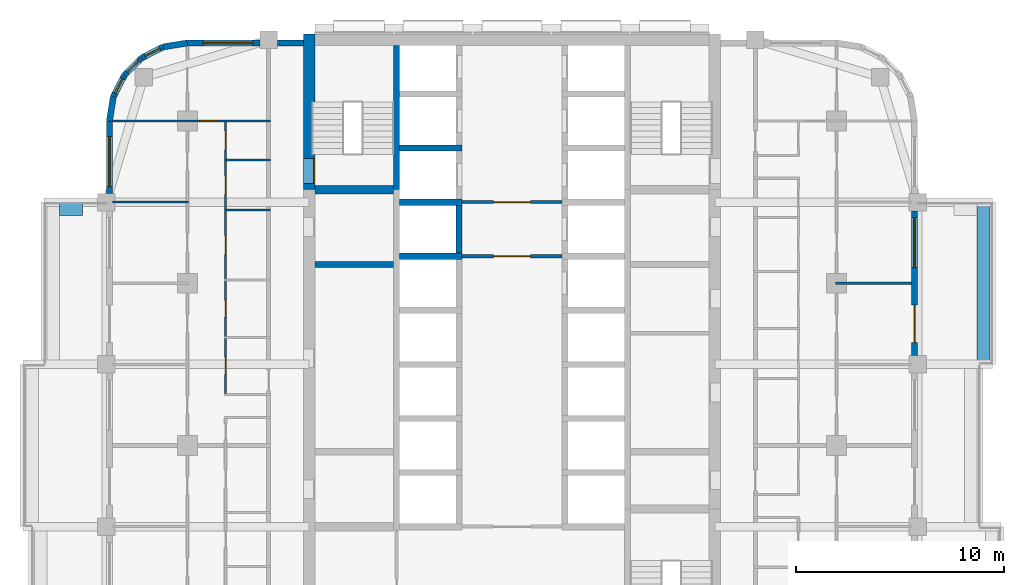
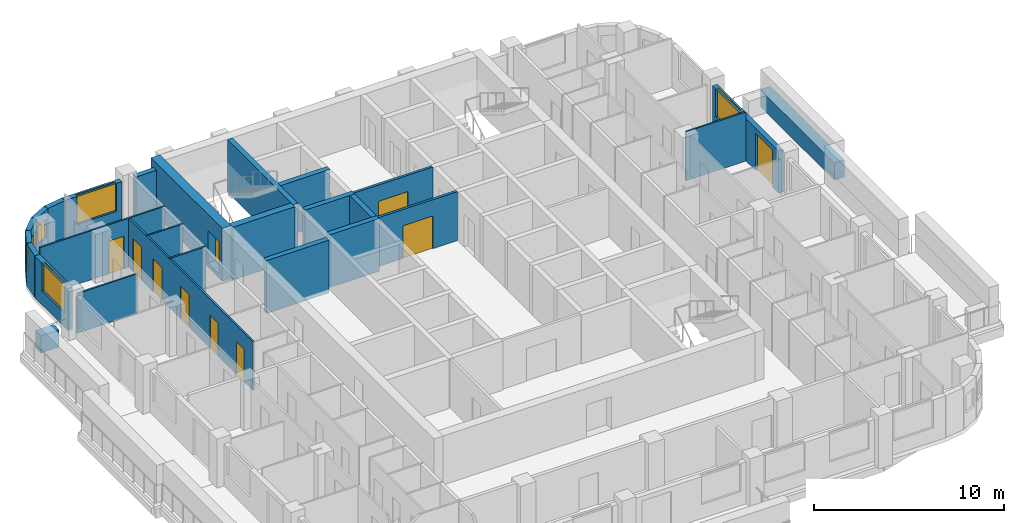
# One storey, part 7 of 12: 27 walls, 10 doors, 6 windows, 16 openings.
"""IFC4 building model written with IfcOpenShell, lengths in metres."""

from ifc_helpers import new_model, si_unit, direction, frame, frame_2d, origin, place, context, subcontext, project, spatial, rectangle, extrude, material, layer, layer_set, type_object, element, fill, save


model = new_model("IFC4")

# Units and contexts
model_context = context("Model", 3, precision=1e-05, world=origin(), true_north=direction((0.0, 1.0)))
body_context = subcontext(model_context, "Body", "Model", "MODEL_VIEW")
ifc_project = project(units=[si_unit("LENGTHUNIT", "METRE"), si_unit("AREAUNIT", "SQUARE_METRE"), si_unit("VOLUMEUNIT", "CUBIC_METRE"), si_unit("PLANEANGLEUNIT", "RADIAN"), si_unit("MASSUNIT", "GRAM", prefix="KILO")], contexts=[model_context])

# Site, building, storey
site_placement = place(None, origin())
site = spatial("IfcSite", under=ifc_project, at=site_placement, CompositionType="ELEMENT")
building_placement = place(site_placement, origin())
building = spatial("IfcBuilding", under=site, at=building_placement, Name="Ludao Terraces", CompositionType="ELEMENT")
storey_placement = place(building_placement, frame((0.0, 0.0, 137.300048828125)))
storey = spatial("IfcBuildingStorey", under=building, at=storey_placement, Name="L37", CompositionType="ELEMENT", Elevation=137.300048828125)

# Wall, opening, door
ifc_material_1 = material(Name="Concrete C60", Category="concrete")
ifc_layer_1 = layer(ifc_material_1, 0.550048828125)
ifc_layer_set_1 = layer_set([ifc_layer_1], Name="Core wall 550 C60")
wall_type_1 = type_object("IfcWallType", Name="Core wall 550 C60", PredefinedType="SOLIDWALL", material=ifc_layer_set_1)
wall_1_placement = place(storey_placement, frame((75.25, 77.300048828125, -0.25), z_axis=(0.0, 0.0, 1.0), x_axis=(0.0, 1.0, 0.0)))
wall_1 = element("IfcWall", 1, at=wall_1_placement, inside=storey, type_object=wall_type_1, Name="Core wall L37 outer-W-S1", PredefinedType="SOLIDWALL", context=body_context, shape_type="SweptSolid", body=[
    extrude(rectangle(XDim=7.474853515625, YDim=0.550048828125, at=frame_2d((3.7373046875, 0.0))), origin(), (0.0, 0.0, 1.0), 3.39990234375),
])
opening_1_placement = place(wall_1_placement, frame((0.300048828125, 0.0, 0.25)))
opening_1 = element("IfcOpeningElement", 2, at=opening_1_placement, cuts=wall_1, Name="Opening R12-064", PredefinedType="OPENING", context=body_context, shape_type="SweptSolid", body=[
    extrude(rectangle(XDim=1.199951171875, YDim=2.10009765625, at=frame_2d((0.60009765625, 1.050048828125))), frame((0.0, 0.28515625, 0.0), z_axis=(0.0, -1.0, 0.0), x_axis=(1.0, 0.0, 0.0)), (0.0, 0.0, 1.0), 0.570068359375),
])
ifc_material_2 = material(Name="Steel Q235", Category="steel")
door_type_1 = type_object("IfcDoorType", Name="INT Stair door 1200", OperationType="DOUBLE_DOOR_SINGLE_SWING", PredefinedType="DOOR", material=ifc_material_2)
door_1_placement = place(opening_1_placement, origin())
door_1 = element("IfcDoor", 3, at=door_1_placement, inside=storey, type_object=door_type_1, Name="DOOR 064", OperationType="DOUBLE_DOOR_SINGLE_SWING", OverallHeight=2.10009765625, OverallWidth=1.199951171875, PredefinedType="DOOR", context=body_context, shape_type="SweptSolid", body=[
    extrude(rectangle(XDim=1.199951171875, YDim=2.10009765625, at=frame_2d((0.60009765625, 1.050048828125))), frame((0.0, -0.2099609375, 0.0), z_axis=(0.0, -1.0, 0.0), x_axis=(1.0, 0.0, 0.0)), (0.0, 0.0, 1.0), 0.050048828125),
])
fill(opening_1, door_1)

# Walls
ifc_material_3 = material(Name="Concrete C40", Category="concrete")
ifc_layer_2 = layer(ifc_material_3, 0.60009765625)
ifc_layer_set_2 = layer_set([ifc_layer_2], Name="ENV Planter trough 600")
wall_type_2 = type_object("IfcWallType", Name="ENV Planter trough 600", PredefinedType="USERDEFINED", material=ifc_layer_set_2)
wall_2_placement = place(storey_placement, frame((107.64990234375, 68.89990234375, 0.0), z_axis=(0.0, 0.0, 1.0), x_axis=(0.0, 1.0, 0.0)))
element("IfcWall", 4, at=wall_2_placement, inside=storey, type_object=wall_type_2, Name="PL-L37-E3", ObjectType="PLANTER", PredefinedType="USERDEFINED", context=body_context, shape_type="SweptSolid", body=[
    extrude(rectangle(XDim=7.800048828125, YDim=0.60009765625, at=frame_2d((3.89990234375, 0.0))), origin(), (0.0, 0.0, 1.0), 1.099853515625),
])
wall_3_placement = place(storey_placement, frame((63.25, 76.35009765625, 0.0), z_axis=(0.0, 0.0, 1.0), x_axis=(1.0, 0.0, 0.0)))
element("IfcWall", 5, at=wall_3_placement, inside=storey, type_object=wall_type_2, Name="PL-L37-W3-SB", ObjectType="PLANTER", PredefinedType="USERDEFINED", context=body_context, shape_type="SweptSolid", body=[
    extrude(rectangle(XDim=1.10009765625, YDim=0.60009765625, at=frame_2d((0.550048828125, 0.0))), origin(), (0.0, 0.0, 1.0), 1.099853515625),
])

# Wall, openings, door, window
ifc_material_4 = material(Name="Granite cladding", Category="masonry")
ifc_layer_3 = layer(ifc_material_4, 0.0400390625, Category="stone")
ifc_material_5 = material(Name="Mineral wool")
ifc_layer_4 = layer(ifc_material_5, 0.06005859375)
ifc_layer_5 = layer(ifc_material_3, 0.199951171875, Category="concrete")
ifc_layer_set_3 = layer_set([ifc_layer_3, ifc_layer_4, ifc_layer_5], Name="ENV Stone-clad wall 300")
wall_type_3 = type_object("IfcWallType", Name="ENV Stone-clad wall 300", PredefinedType="SOLIDWALL", material=ifc_layer_set_3)
wall_4_placement = place(storey_placement, frame((104.35009765625, 69.324951171875, 0.0), z_axis=(0.0, 0.0, 1.0), x_axis=(0.0, 1.0, 0.0)))
wall_4 = element("IfcWall", 6, at=wall_4_placement, inside=storey, type_object=wall_type_3, Name="EW-L37-E4", PredefinedType="SOLIDWALL", context=body_context, shape_type="SweptSolid", body=[
    extrude(rectangle(XDim=6.949951171875, YDim=0.300048828125, at=frame_2d((3.47509765625, 0.0))), origin(), (0.0, 0.0, 1.0), 2.699951171875),
])
opening_2_placement = place(wall_4_placement, frame((0.625, 0.0, 0.0)))
opening_2 = element("IfcOpeningElement", 7, at=opening_2_placement, cuts=wall_4, Name="Opening BD", PredefinedType="OPENING", context=body_context, shape_type="SweptSolid", body=[
    extrude(rectangle(XDim=1.800048828125, YDim=2.39990234375, at=frame_2d((0.89990234375, 1.199951171875))), frame((0.0, 0.16015625, 0.0), z_axis=(0.0, -1.0, 0.0), x_axis=(1.0, 0.0, 0.0)), (0.0, 0.0, 1.0), 0.320068359375),
])
opening_3_placement = place(wall_4_placement, frame((4.22509765625, 0.0, 0.89990234375)))
opening_3 = element("IfcOpeningElement", 8, at=opening_3_placement, cuts=wall_4, Name="Opening W1", PredefinedType="OPENING", context=body_context, shape_type="SweptSolid", body=[
    extrude(rectangle(XDim=2.39990234375, YDim=1.800048828125, at=frame_2d((1.199951171875, 0.89990234375))), frame((0.0, 0.16015625, 0.0), z_axis=(0.0, -1.0, 0.0), x_axis=(1.0, 0.0, 0.0)), (0.0, 0.0, 1.0), 0.320068359375),
])
ifc_material_6 = material(Name="Aluminium glazed door", Category="aluminium")
ifc_layer_6 = layer(ifc_material_6, 0.06005859375)
ifc_layer_set_4 = layer_set([ifc_layer_6], Name="ENV Balcony door BD 1800x2400")
door_type_2 = type_object("IfcDoorType", Name="ENV Balcony door BD 1800x2400", OperationType="DOUBLE_DOOR_SINGLE_SWING", PredefinedType="DOOR", material=ifc_layer_set_4)
door_2_placement = place(opening_2_placement, origin())
door_2 = element("IfcDoor", 9, at=door_2_placement, inside=storey, type_object=door_type_2, Name="BD-L37-E4-1", OperationType="DOUBLE_DOOR_SINGLE_SWING", OverallHeight=2.39990234375, OverallWidth=1.800048828125, PredefinedType="DOOR", context=body_context, shape_type="SweptSolid", body=[
    extrude(rectangle(XDim=1.800048828125, YDim=2.39990234375, at=frame_2d((0.89990234375, 1.199951171875))), frame((0.0, 0.02490234375, 0.0), z_axis=(0.0, -1.0, 0.0), x_axis=(1.0, 0.0, 0.0)), (0.0, 0.0, 1.0), 0.050048828125),
])
fill(opening_2, door_2)
ifc_material_7 = material(Name="Clear glass in aluminium frame", Category="aluminium")
ifc_layer_7 = layer(ifc_material_7, 0.06005859375)
ifc_layer_set_5 = layer_set([ifc_layer_7], Name="ENV Window W1 2400x1800")
window_type_1 = type_object("IfcWindowType", Name="ENV Window W1 2400x1800", PartitioningType="DOUBLE_PANEL_VERTICAL", PredefinedType="WINDOW", material=ifc_layer_set_5)
window_1_placement = place(opening_3_placement, origin())
window_1 = element("IfcWindow", 10, at=window_1_placement, inside=storey, type_object=window_type_1, Name="W-L37-E4-2", OverallHeight=1.800048828125, OverallWidth=2.39990234375, PartitioningType="DOUBLE_PANEL_VERTICAL", PredefinedType="WINDOW", context=body_context, shape_type="SweptSolid", body=[
    extrude(rectangle(XDim=2.39990234375, YDim=1.800048828125, at=frame_2d((1.199951171875, 0.89990234375))), frame((0.0, 0.030029296875, 0.0), z_axis=(0.0, -1.0, 0.0), x_axis=(1.0, 0.0, 0.0)), (0.0, 0.0, 1.0), 0.06005859375),
])
fill(opening_3, window_1)

# Wall, opening, window
wall_5_placement = place(storey_placement, frame((69.39990234375, 84.35009765625, 0.0), z_axis=(0.0, 0.0, 1.0), x_axis=(1.0, 0.0, 0.0)))
wall_5 = element("IfcWall", 11, at=wall_5_placement, inside=storey, type_object=wall_type_3, Name="EW-L37-N1", PredefinedType="SOLIDWALL", context=body_context, shape_type="SweptSolid", body=[
    extrude(rectangle(XDim=3.47509765625, YDim=0.300048828125, at=frame_2d((1.737548828125, 0.0))), origin(), (0.0, 0.0, 1.0), 2.699951171875),
])
opening_4_placement = place(wall_5_placement, frame((0.75, 0.0, 0.89990234375)))
opening_4 = element("IfcOpeningElement", 12, at=opening_4_placement, cuts=wall_5, Name="Opening W1", PredefinedType="OPENING", context=body_context, shape_type="SweptSolid", body=[
    extrude(rectangle(XDim=2.39990234375, YDim=1.800048828125, at=frame_2d((1.199951171875, 0.89990234375))), frame((0.0, 0.16015625, 0.0), z_axis=(0.0, -1.0, 0.0), x_axis=(1.0, 0.0, 0.0)), (0.0, 0.0, 1.0), 0.320068359375),
])
window_2_placement = place(opening_4_placement, origin())
window_2 = element("IfcWindow", 13, at=window_2_placement, inside=storey, type_object=window_type_1, Name="W-L37-N1-1", OverallHeight=1.800048828125, OverallWidth=2.39990234375, PartitioningType="DOUBLE_PANEL_VERTICAL", PredefinedType="WINDOW", context=body_context, shape_type="SweptSolid", body=[
    extrude(rectangle(XDim=2.39990234375, YDim=1.800048828125, at=frame_2d((1.199951171875, 0.89990234375))), frame((0.0, 0.030029296875, 0.0), z_axis=(0.0, -1.0, 0.0), x_axis=(1.0, 0.0, 0.0)), (0.0, 0.0, 1.0), 0.06005859375),
])
fill(opening_4, window_2)

# Wall
wall_6_placement = place(storey_placement, frame((73.72509765625, 84.35009765625, 0.0), z_axis=(0.0, 0.0, 1.0), x_axis=(1.0, 0.0, 0.0)))
element("IfcWall", 14, at=wall_6_placement, inside=storey, type_object=wall_type_3, Name="EW-L37-N2", PredefinedType="SOLIDWALL", context=body_context, shape_type="SweptSolid", body=[
    extrude(rectangle(XDim=1.25, YDim=0.300048828125, at=frame_2d((0.625, 0.0))), origin(), (0.0, 0.0, 1.0), 2.699951171875),
])

# Wall, opening, window
wall_7_placement = place(storey_placement, frame((65.64990234375, 77.125, 0.0), z_axis=(0.0, 0.0, 1.0), x_axis=(0.0, 1.0, 0.0)))
wall_7 = element("IfcWall", 15, at=wall_7_placement, inside=storey, type_object=wall_type_3, Name="EW-L37-W5", PredefinedType="SOLIDWALL", context=body_context, shape_type="SweptSolid", body=[
    extrude(rectangle(XDim=3.47509765625, YDim=0.300048828125, at=frame_2d((1.737548828125, 0.0))), origin(), (0.0, 0.0, 1.0), 2.699951171875),
])
opening_5_placement = place(wall_7_placement, frame((0.324951171875, 0.0, 0.89990234375)))
opening_5 = element("IfcOpeningElement", 16, at=opening_5_placement, cuts=wall_7, Name="Opening W1", PredefinedType="OPENING", context=body_context, shape_type="SweptSolid", body=[
    extrude(rectangle(XDim=2.39990234375, YDim=1.800048828125, at=frame_2d((1.199951171875, 0.89990234375))), frame((0.0, 0.16015625, 0.0), z_axis=(0.0, -1.0, 0.0), x_axis=(1.0, 0.0, 0.0)), (0.0, 0.0, 1.0), 0.320068359375),
])
window_3_placement = place(opening_5_placement, origin())
window_3 = element("IfcWindow", 17, at=window_3_placement, inside=storey, type_object=window_type_1, Name="W-L37-W5-1", OverallHeight=1.800048828125, OverallWidth=2.39990234375, PartitioningType="DOUBLE_PANEL_VERTICAL", PredefinedType="WINDOW", context=body_context, shape_type="SweptSolid", body=[
    extrude(rectangle(XDim=2.39990234375, YDim=1.800048828125, at=frame_2d((1.199951171875, 0.89990234375))), frame((0.0, 0.030029296875, 0.0), z_axis=(0.0, -1.0, 0.0), x_axis=(1.0, 0.0, 0.0)), (0.0, 0.0, 1.0), 0.06005859375),
])
fill(opening_5, window_3)

# Wall
wall_8_placement = place(storey_placement, frame((69.39990234375, 84.35009765625, 0.0), z_axis=(0.0, 0.0, 1.0), x_axis=(-0.987678452879, -0.156496880861, 0.0)))
element("IfcWall", 18, at=wall_8_placement, inside=storey, type_object=wall_type_3, Name="EW-L37-NW1", PredefinedType="SOLIDWALL", context=body_context, shape_type="SweptSolid", body=[
    extrude(rectangle(XDim=1.173095703125, YDim=0.300048828125, at=frame_2d((0.58642578125, 0.0))), origin(), (0.0, 0.0, 1.0), 2.699951171875),
])

# Wall, opening, window
wall_9_placement = place(storey_placement, frame((68.2412109375, 84.16650390625, 0.0), z_axis=(0.0, 0.0, 1.0), x_axis=(-0.890988677504, -0.454025524128, 0.0)))
wall_9 = element("IfcWall", 19, at=wall_9_placement, inside=storey, type_object=wall_type_3, Name="EW-L37-NW2", PredefinedType="SOLIDWALL", context=body_context, shape_type="SweptSolid", body=[
    extrude(rectangle(XDim=1.17333984375, YDim=0.300048828125, at=frame_2d((0.586669921875, 0.0))), origin(), (0.0, 0.0, 1.0), 2.699951171875),
])
opening_6_placement = place(wall_9_placement, frame((0.1865234375, 0.0, 0.89990234375)))
opening_6 = element("IfcOpeningElement", 20, at=opening_6_placement, cuts=wall_9, Name="Opening W3", PredefinedType="OPENING", context=body_context, shape_type="SweptSolid", body=[
    extrude(rectangle(XDim=0.800048828125, YDim=1.199951171875, at=frame_2d((0.39990234375, 0.60009765625))), frame((0.0, 0.16015625, 0.0), z_axis=(0.0, -1.0, 0.0), x_axis=(1.0, 0.0, 0.0)), (0.0, 0.0, 1.0), 0.320068359375),
])
ifc_layer_8 = layer(ifc_material_7, 0.06005859375)
ifc_layer_set_6 = layer_set([ifc_layer_8], Name="ENV Window W3 800x1200")
window_type_2 = type_object("IfcWindowType", Name="ENV Window W3 800x1200", PartitioningType="SINGLE_PANEL", PredefinedType="WINDOW", material=ifc_layer_set_6)
window_4_placement = place(opening_6_placement, origin())
window_4 = element("IfcWindow", 21, at=window_4_placement, inside=storey, type_object=window_type_2, Name="W-L37-NW2", OverallHeight=1.199951171875, OverallWidth=0.800048828125, PartitioningType="SINGLE_PANEL", PredefinedType="WINDOW", context=body_context, shape_type="SweptSolid", body=[
    extrude(rectangle(XDim=0.800048828125, YDim=1.199951171875, at=frame_2d((0.39990234375, 0.60009765625))), frame((0.0, 0.030029296875, 0.0), z_axis=(0.0, -1.0, 0.0), x_axis=(1.0, 0.0, 0.0)), (0.0, 0.0, 1.0), 0.06005859375),
])
fill(opening_6, window_4)

wall_10_placement = place(storey_placement, frame((67.19580078125, 83.6337890625, 0.0), z_axis=(0.0, 0.0, 1.0), x_axis=(-0.707106781187, -0.707106781187, 0.0)))
wall_10 = element("IfcWall", 22, at=wall_10_placement, inside=storey, type_object=wall_type_3, Name="EW-L37-NW3", PredefinedType="SOLIDWALL", context=body_context, shape_type="SweptSolid", body=[
    extrude(rectangle(XDim=1.173095703125, YDim=0.300048828125, at=frame_2d((0.58642578125, 0.0))), origin(), (0.0, 0.0, 1.0), 2.699951171875),
])
opening_7_placement = place(wall_10_placement, frame((0.1865234375, 0.0, 0.89990234375)))
opening_7 = element("IfcOpeningElement", 23, at=opening_7_placement, cuts=wall_10, Name="Opening W3", PredefinedType="OPENING", context=body_context, shape_type="SweptSolid", body=[
    extrude(rectangle(XDim=0.800048828125, YDim=1.199951171875, at=frame_2d((0.39990234375, 0.60009765625))), frame((0.0, 0.16015625, 0.0), z_axis=(0.0, -1.0, 0.0), x_axis=(1.0, 0.0, 0.0)), (0.0, 0.0, 1.0), 0.320068359375),
])
window_5_placement = place(opening_7_placement, origin())
window_5 = element("IfcWindow", 24, at=window_5_placement, inside=storey, type_object=window_type_2, Name="W-L37-NW3", OverallHeight=1.199951171875, OverallWidth=0.800048828125, PartitioningType="SINGLE_PANEL", PredefinedType="WINDOW", context=body_context, shape_type="SweptSolid", body=[
    extrude(rectangle(XDim=0.800048828125, YDim=1.199951171875, at=frame_2d((0.39990234375, 0.60009765625))), frame((0.0, 0.030029296875, 0.0), z_axis=(0.0, -1.0, 0.0), x_axis=(1.0, 0.0, 0.0)), (0.0, 0.0, 1.0), 0.06005859375),
])
fill(opening_7, window_5)

wall_11_placement = place(storey_placement, frame((66.3662109375, 82.80419921875, 0.0), z_axis=(0.0, 0.0, 1.0), x_axis=(-0.454025524128, -0.890988677504, 0.0)))
wall_11 = element("IfcWall", 25, at=wall_11_placement, inside=storey, type_object=wall_type_3, Name="EW-L37-NW4", PredefinedType="SOLIDWALL", context=body_context, shape_type="SweptSolid", body=[
    extrude(rectangle(XDim=1.17333984375, YDim=0.300048828125, at=frame_2d((0.586669921875, 0.0))), origin(), (0.0, 0.0, 1.0), 2.699951171875),
])
opening_8_placement = place(wall_11_placement, frame((0.1865234375, 0.0, 0.89990234375)))
opening_8 = element("IfcOpeningElement", 26, at=opening_8_placement, cuts=wall_11, Name="Opening W3", PredefinedType="OPENING", context=body_context, shape_type="SweptSolid", body=[
    extrude(rectangle(XDim=0.800048828125, YDim=1.199951171875, at=frame_2d((0.39990234375, 0.60009765625))), frame((0.0, 0.16015625, 0.0), z_axis=(0.0, -1.0, 0.0), x_axis=(1.0, 0.0, 0.0)), (0.0, 0.0, 1.0), 0.320068359375),
])
window_6_placement = place(opening_8_placement, origin())
window_6 = element("IfcWindow", 27, at=window_6_placement, inside=storey, type_object=window_type_2, Name="W-L37-NW4", OverallHeight=1.199951171875, OverallWidth=0.800048828125, PartitioningType="SINGLE_PANEL", PredefinedType="WINDOW", context=body_context, shape_type="SweptSolid", body=[
    extrude(rectangle(XDim=0.800048828125, YDim=1.199951171875, at=frame_2d((0.39990234375, 0.60009765625))), frame((0.0, 0.030029296875, 0.0), z_axis=(0.0, -1.0, 0.0), x_axis=(1.0, 0.0, 0.0)), (0.0, 0.0, 1.0), 0.06005859375),
])
fill(opening_8, window_6)

# Wall
wall_12_placement = place(storey_placement, frame((65.83349609375, 81.7587890625, 0.0), z_axis=(0.0, 0.0, 1.0), x_axis=(-0.156496880861, -0.987678452879, 0.0)))
element("IfcWall", 28, at=wall_12_placement, inside=storey, type_object=wall_type_3, Name="EW-L37-NW5", PredefinedType="SOLIDWALL", context=body_context, shape_type="SweptSolid", body=[
    extrude(rectangle(XDim=1.173095703125, YDim=0.300048828125, at=frame_2d((0.58642578125, 0.0))), origin(), (0.0, 0.0, 1.0), 2.699951171875),
])

# Wall, opening, door
ifc_material_8 = material(Name="Fire-rated gypsum plasterboard", Category="gypsum")
ifc_layer_9 = layer(ifc_material_8, 0.012451171875, Category="gypsum")
ifc_layer_10 = layer(ifc_material_5, 0.10009765625, Name="insulation")
ifc_layer_11 = layer(ifc_material_2, 0.02490234375, Name="stud")
ifc_layer_12 = layer(ifc_material_8, 0.012451171875, Category="gypsum")
ifc_layer_set_7 = layer_set([ifc_layer_9, ifc_layer_10, ifc_layer_11, ifc_layer_12], Name="INT Core partition 150")
wall_type_4 = type_object("IfcWallType", Name="INT Core partition 150", PredefinedType="PARTITIONING", material=ifc_layer_set_7)
wall_13_placement = place(storey_placement, frame((82.60009765625, 74.10009765625, 0.0), z_axis=(0.0, 0.0, 1.0), x_axis=(1.0, 0.0, 0.0)))
wall_13 = element("IfcWall", 29, at=wall_13_placement, inside=storey, type_object=wall_type_4, Name="PW-L37-PW036", PredefinedType="PARTITIONING", context=body_context, shape_type="SweptSolid", body=[
    extrude(rectangle(XDim=4.800048828125, YDim=0.14990234375, at=frame_2d((2.39990234375, 0.0))), origin(), (0.0, 0.0, 1.0), 3.14990234375),
])
opening_9_placement = place(wall_13_placement, frame((1.5, 0.0, 0.0)))
opening_9 = element("IfcOpeningElement", 30, at=opening_9_placement, cuts=wall_13, Name="Opening R12-051", PredefinedType="OPENING", context=body_context, shape_type="SweptSolid", body=[
    extrude(rectangle(XDim=1.800048828125, YDim=2.10009765625, at=frame_2d((0.89990234375, 1.050048828125))), frame((0.0, 0.0849609375, 0.0), z_axis=(0.0, -1.0, 0.0), x_axis=(1.0, 0.0, 0.0)), (0.0, 0.0, 1.0), 0.169921875),
])
door_type_3 = type_object("IfcDoorType", Name="INT Fire lobby door 1800", OperationType="DOUBLE_DOOR_SINGLE_SWING", PredefinedType="DOOR", material=ifc_material_2)
door_3_placement = place(opening_9_placement, origin())
door_3 = element("IfcDoor", 31, at=door_3_placement, inside=storey, type_object=door_type_3, Name="DOOR 051", OperationType="DOUBLE_DOOR_SINGLE_SWING", OverallHeight=2.10009765625, OverallWidth=1.800048828125, PredefinedType="DOOR", context=body_context, shape_type="SweptSolid", body=[
    extrude(rectangle(XDim=1.800048828125, YDim=2.10009765625, at=frame_2d((0.89990234375, 1.050048828125))), frame((0.0, 0.02490234375, 0.0), z_axis=(0.0, -1.0, 0.0), x_axis=(1.0, 0.0, 0.0)), (0.0, 0.0, 1.0), 0.050048828125),
])
fill(opening_9, door_3)

wall_14_placement = place(storey_placement, frame((82.60009765625, 76.699951171875, 0.0), z_axis=(0.0, 0.0, 1.0), x_axis=(1.0, 0.0, 0.0)))
wall_14 = element("IfcWall", 32, at=wall_14_placement, inside=storey, type_object=wall_type_4, Name="PW-L37-PW040", PredefinedType="PARTITIONING", context=body_context, shape_type="SweptSolid", body=[
    extrude(rectangle(XDim=4.800048828125, YDim=0.14990234375, at=frame_2d((2.39990234375, 0.0))), origin(), (0.0, 0.0, 1.0), 3.14990234375),
])
opening_10_placement = place(wall_14_placement, frame((1.5, 0.0, 0.0)))
opening_10 = element("IfcOpeningElement", 33, at=opening_10_placement, cuts=wall_14, Name="Opening R12-059", PredefinedType="OPENING", context=body_context, shape_type="SweptSolid", body=[
    extrude(rectangle(XDim=1.800048828125, YDim=2.10009765625, at=frame_2d((0.89990234375, 1.050048828125))), frame((0.0, 0.0849609375, 0.0), z_axis=(0.0, -1.0, 0.0), x_axis=(1.0, 0.0, 0.0)), (0.0, 0.0, 1.0), 0.169921875),
])
door_4_placement = place(opening_10_placement, origin())
door_4 = element("IfcDoor", 34, at=door_4_placement, inside=storey, type_object=door_type_3, Name="DOOR 059", OperationType="DOUBLE_DOOR_SINGLE_SWING", OverallHeight=2.10009765625, OverallWidth=1.800048828125, PredefinedType="DOOR", context=body_context, shape_type="SweptSolid", body=[
    extrude(rectangle(XDim=1.800048828125, YDim=2.10009765625, at=frame_2d((0.89990234375, 1.050048828125))), frame((0.0, 0.02490234375, 0.0), z_axis=(0.0, -1.0, 0.0), x_axis=(1.0, 0.0, 0.0)), (0.0, 0.0, 1.0), 0.050048828125),
])
fill(opening_10, door_4)

# Walls
ifc_material_9 = material(Name="Gypsum plasterboard", Category="gypsum")
ifc_layer_13 = layer(ifc_material_9, 0.012451171875, Category="gypsum")
ifc_layer_14 = layer(ifc_material_5, 0.06005859375, Name="insulation")
ifc_layer_15 = layer(ifc_material_2, 0.014892578125, Name="stud")
ifc_layer_16 = layer(ifc_material_9, 0.012451171875, Category="gypsum")
ifc_layer_set_8 = layer_set([ifc_layer_13, ifc_layer_14, ifc_layer_15, ifc_layer_16], Name="INT Partition 100")
wall_type_5 = type_object("IfcWallType", Name="INT Partition 100", PredefinedType="PARTITIONING", material=ifc_layer_set_8)
wall_15_placement = place(storey_placement, frame((100.550048828125, 72.800048828125, 0.0), z_axis=(0.0, 0.0, 1.0), x_axis=(1.0, 0.0, 0.0)))
element("IfcWall", 35, at=wall_15_placement, inside=storey, type_object=wall_type_5, Name="PW-L37-PW033", PredefinedType="PARTITIONING", context=body_context, shape_type="SweptSolid", body=[
    extrude(rectangle(XDim=3.650146484375, YDim=0.10009765625, at=frame_2d((1.8251953125, 0.0))), origin(), (0.0, 0.0, 1.0), 3.14990234375),
])
wall_16_placement = place(storey_placement, frame((71.18017578125, 76.320068359375, 0.0), z_axis=(0.0, 0.0, 1.0), x_axis=(1.0, 0.0, 0.0)))
element("IfcWall", 36, at=wall_16_placement, inside=storey, type_object=wall_type_5, Name="PW-L37-PW038", PredefinedType="PARTITIONING", context=body_context, shape_type="SweptSolid", body=[
    extrude(rectangle(XDim=2.219970703125, YDim=0.10009765625, at=frame_2d((1.10986328125, 0.0))), origin(), (0.0, 0.0, 1.0), 3.14990234375),
])
wall_17_placement = place(storey_placement, frame((65.800048828125, 76.699951171875, 0.0), z_axis=(0.0, 0.0, 1.0), x_axis=(1.0, 0.0, 0.0)))
element("IfcWall", 37, at=wall_17_placement, inside=storey, type_object=wall_type_5, Name="PW-L37-PW039", PredefinedType="PARTITIONING", context=body_context, shape_type="SweptSolid", body=[
    extrude(rectangle(XDim=3.650146484375, YDim=0.10009765625, at=frame_2d((1.8251953125, 0.0))), origin(), (0.0, 0.0, 1.0), 2.5498046875),
])
wall_18_placement = place(storey_placement, frame((71.18017578125, 78.719970703125, 0.0), z_axis=(0.0, 0.0, 1.0), x_axis=(1.0, 0.0, 0.0)))
element("IfcWall", 38, at=wall_18_placement, inside=storey, type_object=wall_type_5, Name="PW-L37-PW043", PredefinedType="PARTITIONING", context=body_context, shape_type="SweptSolid", body=[
    extrude(rectangle(XDim=2.219970703125, YDim=0.10009765625, at=frame_2d((1.10986328125, 0.0))), origin(), (0.0, 0.0, 1.0), 3.14990234375),
])

# Wall, opening, door
wall_19_placement = place(storey_placement, frame((65.800048828125, 80.60009765625, 0.0), z_axis=(0.0, 0.0, 1.0), x_axis=(1.0, 0.0, 0.0)))
wall_19 = element("IfcWall", 39, at=wall_19_placement, inside=storey, type_object=wall_type_5, Name="PW-L37-PW045", PredefinedType="PARTITIONING", context=body_context, shape_type="SweptSolid", body=[
    extrude(rectangle(XDim=7.60009765625, YDim=0.10009765625, at=frame_2d((3.800048828125, 0.0))), origin(), (0.0, 0.0, 1.0), 3.14990234375),
])
opening_11_placement = place(wall_19_placement, frame((4.18994140625, 0.0, 0.0)))
opening_11 = element("IfcOpeningElement", 40, at=opening_11_placement, cuts=wall_19, Name="Opening R12-071", PredefinedType="OPENING", context=body_context, shape_type="SweptSolid", body=[
    extrude(rectangle(XDim=0.89990234375, YDim=2.10009765625, at=frame_2d((0.449951171875, 1.050048828125))), frame((0.0, 0.06005859375, 0.0), z_axis=(0.0, -1.0, 0.0), x_axis=(1.0, 0.0, 0.0)), (0.0, 0.0, 1.0), 0.1201171875),
])
ifc_material_10 = material(Name="Timber door leaf", Category="wood")
door_type_4 = type_object("IfcDoorType", Name="INT Room door 900", OperationType="SINGLE_SWING_LEFT", PredefinedType="DOOR", material=ifc_material_10)
door_5_placement = place(opening_11_placement, origin())
door_5 = element("IfcDoor", 41, at=door_5_placement, inside=storey, type_object=door_type_4, Name="DOOR 071", OperationType="SINGLE_SWING_LEFT", OverallHeight=2.10009765625, OverallWidth=0.89990234375, PredefinedType="DOOR", context=body_context, shape_type="SweptSolid", body=[
    extrude(rectangle(XDim=0.89990234375, YDim=2.10009765625, at=frame_2d((0.449951171875, 1.050048828125))), frame((0.0, 0.02490234375, 0.0), z_axis=(0.0, -1.0, 0.0), x_axis=(1.0, 0.0, 0.0)), (0.0, 0.0, 1.0), 0.050048828125),
])
fill(opening_11, door_5)

# Wall, openings, doors
wall_20_placement = place(storey_placement, frame((71.22998046875, 67.5, 0.0), z_axis=(0.0, 0.0, 1.0), x_axis=(0.0, 1.0, 0.0)))
wall_20 = element("IfcWall", 42, at=wall_20_placement, inside=storey, type_object=wall_type_5, Name="PW-L37-PW050", PredefinedType="PARTITIONING", context=body_context, shape_type="SweptSolid", body=[
    extrude(rectangle(XDim=13.050048828125, YDim=0.10009765625, at=frame_2d((6.52490234375, 0.0))), origin(), (0.0, 0.0, 1.0), 3.14990234375),
])
opening_12_placement = place(wall_20_placement, frame((0.925048828125, 0.0, 0.0)))
opening_12 = element("IfcOpeningElement", 43, at=opening_12_placement, cuts=wall_20, Name="Opening R12-042", PredefinedType="OPENING", context=body_context, shape_type="SweptSolid", body=[
    extrude(rectangle(XDim=0.800048828125, YDim=2.10009765625, at=frame_2d((0.39990234375, 1.050048828125))), frame((0.0, 0.06005859375, 0.0), z_axis=(0.0, -1.0, 0.0), x_axis=(1.0, 0.0, 0.0)), (0.0, 0.0, 1.0), 0.1201171875),
])
opening_13_placement = place(wall_20_placement, frame((3.675048828125, 0.0, 0.0)))
opening_13 = element("IfcOpeningElement", 44, at=opening_13_placement, cuts=wall_20, Name="Opening R12-047", PredefinedType="OPENING", context=body_context, shape_type="SweptSolid", body=[
    extrude(rectangle(XDim=0.800048828125, YDim=2.10009765625, at=frame_2d((0.39990234375, 1.050048828125))), frame((0.0, 0.06005859375, 0.0), z_axis=(0.0, -1.0, 0.0), x_axis=(1.0, 0.0, 0.0)), (0.0, 0.0, 1.0), 0.1201171875),
])
opening_14_placement = place(wall_20_placement, frame((6.68505859375, 0.0, 0.0)))
opening_14 = element("IfcOpeningElement", 45, at=opening_14_placement, cuts=wall_20, Name="Opening R12-052", PredefinedType="OPENING", context=body_context, shape_type="SweptSolid", body=[
    extrude(rectangle(XDim=0.89990234375, YDim=2.10009765625, at=frame_2d((0.449951171875, 1.050048828125))), frame((0.0, 0.06005859375, 0.0), z_axis=(0.0, -1.0, 0.0), x_axis=(1.0, 0.0, 0.0)), (0.0, 0.0, 1.0), 0.1201171875),
])
opening_15_placement = place(wall_20_placement, frame((9.570068359375, 0.0, 0.0)))
opening_15 = element("IfcOpeningElement", 46, at=opening_15_placement, cuts=wall_20, Name="Opening R12-061", PredefinedType="OPENING", context=body_context, shape_type="SweptSolid", body=[
    extrude(rectangle(XDim=0.89990234375, YDim=2.10009765625, at=frame_2d((0.449951171875, 1.050048828125))), frame((0.0, 0.06005859375, 0.0), z_axis=(0.0, -1.0, 0.0), x_axis=(1.0, 0.0, 0.0)), (0.0, 0.0, 1.0), 0.1201171875),
])
opening_16_placement = place(wall_20_placement, frame((11.710205078125, 0.0, 0.0)))
opening_16 = element("IfcOpeningElement", 47, at=opening_16_placement, cuts=wall_20, Name="Opening R12-069", PredefinedType="OPENING", context=body_context, shape_type="SweptSolid", body=[
    extrude(rectangle(XDim=0.89990234375, YDim=2.10009765625, at=frame_2d((0.449951171875, 1.050048828125))), frame((0.0, 0.06005859375, 0.0), z_axis=(0.0, -1.0, 0.0), x_axis=(1.0, 0.0, 0.0)), (0.0, 0.0, 1.0), 0.1201171875),
])
door_type_5 = type_object("IfcDoorType", Name="INT Bathroom door 900", OperationType="SINGLE_SWING_LEFT", PredefinedType="DOOR", material=ifc_material_10)
door_6_placement = place(opening_15_placement, origin())
door_6 = element("IfcDoor", 48, at=door_6_placement, inside=storey, type_object=door_type_5, Name="DOOR 061", OperationType="SINGLE_SWING_RIGHT", OverallHeight=2.10009765625, OverallWidth=0.89990234375, PredefinedType="DOOR", context=body_context, shape_type="SweptSolid", body=[
    extrude(rectangle(XDim=0.89990234375, YDim=2.10009765625, at=frame_2d((0.449951171875, 1.050048828125))), frame((0.0, 0.02490234375, 0.0), z_axis=(0.0, -1.0, 0.0), x_axis=(1.0, 0.0, 0.0)), (0.0, 0.0, 1.0), 0.050048828125),
])
fill(opening_15, door_6)
door_7_placement = place(opening_16_placement, origin())
door_7 = element("IfcDoor", 49, at=door_7_placement, inside=storey, type_object=door_type_5, Name="DOOR 069", OperationType="SINGLE_SWING_RIGHT", OverallHeight=2.10009765625, OverallWidth=0.89990234375, PredefinedType="DOOR", context=body_context, shape_type="SweptSolid", body=[
    extrude(rectangle(XDim=0.89990234375, YDim=2.10009765625, at=frame_2d((0.449951171875, 1.050048828125))), frame((0.0, 0.02490234375, 0.0), z_axis=(0.0, -1.0, 0.0), x_axis=(1.0, 0.0, 0.0)), (0.0, 0.0, 1.0), 0.050048828125),
])
fill(opening_16, door_7)
door_8_placement = place(opening_14_placement, origin())
door_8 = element("IfcDoor", 50, at=door_8_placement, inside=storey, type_object=door_type_4, Name="DOOR 052", OperationType="SINGLE_SWING_RIGHT", OverallHeight=2.10009765625, OverallWidth=0.89990234375, PredefinedType="DOOR", context=body_context, shape_type="SweptSolid", body=[
    extrude(rectangle(XDim=0.89990234375, YDim=2.10009765625, at=frame_2d((0.449951171875, 1.050048828125))), frame((0.0, 0.02490234375, 0.0), z_axis=(0.0, -1.0, 0.0), x_axis=(1.0, 0.0, 0.0)), (0.0, 0.0, 1.0), 0.050048828125),
])
fill(opening_14, door_8)
door_type_6 = type_object("IfcDoorType", Name="INT Store door 800", OperationType="SINGLE_SWING_LEFT", PredefinedType="DOOR", material=ifc_material_10)
door_9_placement = place(opening_12_placement, origin())
door_9 = element("IfcDoor", 51, at=door_9_placement, inside=storey, type_object=door_type_6, Name="DOOR 042", OperationType="SINGLE_SWING_LEFT", OverallHeight=2.10009765625, OverallWidth=0.800048828125, PredefinedType="DOOR", context=body_context, shape_type="SweptSolid", body=[
    extrude(rectangle(XDim=0.800048828125, YDim=2.10009765625, at=frame_2d((0.39990234375, 1.050048828125))), frame((0.0, 0.02490234375, 0.0), z_axis=(0.0, -1.0, 0.0), x_axis=(1.0, 0.0, 0.0)), (0.0, 0.0, 1.0), 0.050048828125),
])
fill(opening_12, door_9)
door_10_placement = place(opening_13_placement, origin())
door_10 = element("IfcDoor", 52, at=door_10_placement, inside=storey, type_object=door_type_6, Name="DOOR 047", OperationType="SINGLE_SWING_LEFT", OverallHeight=2.10009765625, OverallWidth=0.800048828125, PredefinedType="DOOR", context=body_context, shape_type="SweptSolid", body=[
    extrude(rectangle(XDim=0.800048828125, YDim=2.10009765625, at=frame_2d((0.39990234375, 1.050048828125))), frame((0.0, 0.02490234375, 0.0), z_axis=(0.0, -1.0, 0.0), x_axis=(1.0, 0.0, 0.0)), (0.0, 0.0, 1.0), 0.050048828125),
])
fill(opening_13, door_10)

# Walls
ifc_material_11 = material(Name="Concrete C55", Category="concrete")
ifc_layer_17 = layer(ifc_material_11, 0.300048828125)
ifc_layer_set_9 = layer_set([ifc_layer_17], Name="Shaft wall 300 C55")
wall_type_6 = type_object("IfcWallType", Name="Shaft wall 300 C55", PredefinedType="SOLIDWALL", material=ifc_layer_set_9)
wall_21_placement = place(storey_placement, frame((79.449951171875, 77.300048828125, -0.25), z_axis=(0.0, 0.0, 1.0), x_axis=(0.0, 1.0, 0.0)))
element("IfcWall", 53, at=wall_21_placement, inside=storey, type_object=wall_type_6, Name="Core wall L37 back-W-S1", PredefinedType="SOLIDWALL", context=body_context, shape_type="SweptSolid", body=[
    extrude(rectangle(XDim=6.925048828125, YDim=0.300048828125, at=frame_2d((3.46240234375, 0.0))), origin(), (0.0, 0.0, 1.0), 3.39990234375),
])
wall_22_placement = place(storey_placement, frame((79.60009765625, 74.10009765625, -0.25), z_axis=(0.0, 0.0, 1.0), x_axis=(1.0, 0.0, 0.0)))
element("IfcWall", 54, at=wall_22_placement, inside=storey, type_object=wall_type_6, Name="Core wall L37 div-W6", PredefinedType="SOLIDWALL", context=body_context, shape_type="SweptSolid", body=[
    extrude(rectangle(XDim=3.0, YDim=0.300048828125, at=frame_2d((1.5, 0.0))), origin(), (0.0, 0.0, 1.0), 3.39990234375),
])
wall_23_placement = place(storey_placement, frame((82.449951171875, 74.25, -0.25), z_axis=(0.0, 0.0, 1.0), x_axis=(0.0, 1.0, 0.0)))
element("IfcWall", 55, at=wall_23_placement, inside=storey, type_object=wall_type_6, Name="Core wall L37 front-W6", PredefinedType="SOLIDWALL", context=body_context, shape_type="SweptSolid", body=[
    extrude(rectangle(XDim=2.300048828125, YDim=0.300048828125, at=frame_2d((1.14990234375, 0.0))), origin(), (0.0, 0.0, 1.0), 3.39990234375),
])
for number, where, z_axis, x_axis, name in (
    (56, (79.60009765625, 76.699951171875, -0.25), (0.0, 0.0, 1.0), (1.0, 0.0, 0.0), "Core wall L37 div-W7"),
    (57, (79.60009765625, 79.300048828125, -0.25), (0.0, 0.0, 1.0), (1.0, 0.0, 0.0), "Core wall L37 div-W8"),
):
    element("IfcWall", number, at=place(storey_placement, frame(where, z_axis=z_axis, x_axis=x_axis)), inside=storey, type_object=wall_type_6, Name=name, PredefinedType="SOLIDWALL", context=body_context, shape_type="SweptSolid", body=[
        extrude(rectangle(XDim=3.0, YDim=0.300048828125, at=frame_2d((1.5, 0.0))), origin(), (0.0, 0.0, 1.0), 3.39990234375),
    ])
wall_24_placement = place(storey_placement, frame((75.52490234375, 73.699951171875, -0.25), z_axis=(0.0, 0.0, 1.0), x_axis=(1.0, 0.0, 0.0)))
element("IfcWall", 58, at=wall_24_placement, inside=storey, type_object=wall_type_6, Name="Core wall L37 riser-b-W", PredefinedType="SOLIDWALL", context=body_context, shape_type="SweptSolid", body=[
    extrude(rectangle(XDim=3.775146484375, YDim=0.300048828125, at=frame_2d((1.8876953125, 0.0))), origin(), (0.0, 0.0, 1.0), 3.39990234375),
])
ifc_layer_18 = layer(ifc_material_11, 0.39990234375)
ifc_layer_set_10 = layer_set([ifc_layer_18], Name="Shaft wall 400 C55")
wall_type_7 = type_object("IfcWallType", Name="Shaft wall 400 C55", PredefinedType="SOLIDWALL", material=ifc_layer_set_10)
wall_25_placement = place(storey_placement, frame((75.52490234375, 77.300048828125, -0.25), z_axis=(0.0, 0.0, 1.0), x_axis=(1.0, 0.0, 0.0)))
element("IfcWall", 59, at=wall_25_placement, inside=storey, type_object=wall_type_7, Name="Core wall L37 stair-W", PredefinedType="SOLIDWALL", context=body_context, shape_type="SweptSolid", body=[
    extrude(rectangle(XDim=3.775146484375, YDim=0.39990234375, at=frame_2d((1.8876953125, 0.0))), origin(), (0.0, 0.0, 1.0), 3.39990234375),
])

save(model, "model.ifc")
